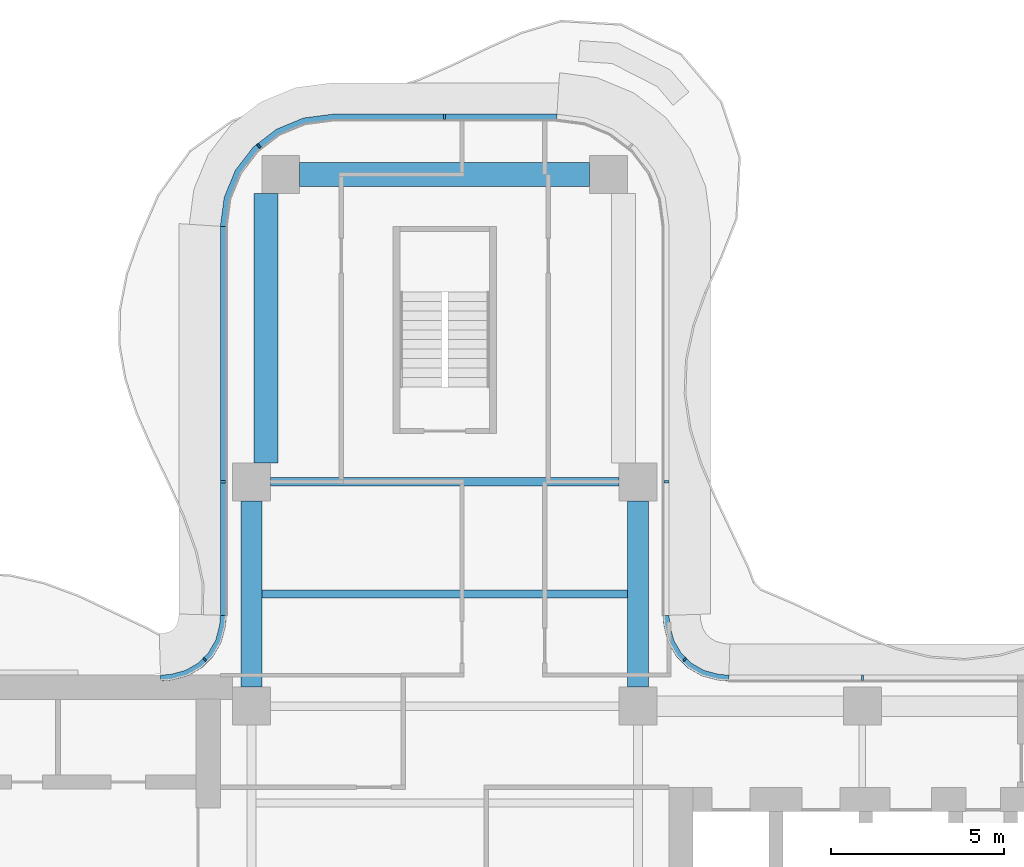
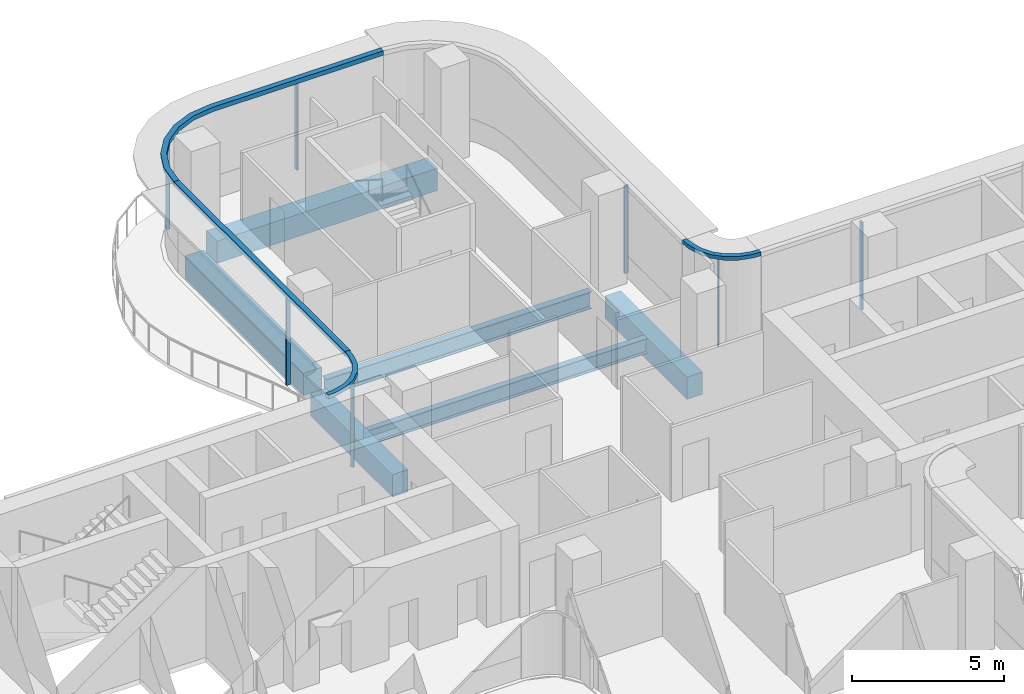
# One storey, part 6 of 17: 11 members, 6 beams, 6 elements without a shape of their own.
"""IFC4 building model written with IfcOpenShell, lengths in metres."""

from ifc_helpers import new_model, si_unit, direction, frame, origin, origin_2d, place, context, subcontext, project, spatial, polyline, rectangle, i_section, outline, extrude, source, transform, mapped, material, layer, layer_set, material_profile, profile_set, type_object, element, aggregate, save


model = new_model("IFC4")

# Units and contexts
model_context = context("Model", 3, precision=1e-05, world=origin(), true_north=direction((0.0, 1.0)))
body_context = subcontext(model_context, "Body", "Model", "MODEL_VIEW")
ifc_project = project(units=[si_unit("LENGTHUNIT", "METRE"), si_unit("AREAUNIT", "SQUARE_METRE"), si_unit("VOLUMEUNIT", "CUBIC_METRE"), si_unit("PLANEANGLEUNIT", "RADIAN"), si_unit("MASSUNIT", "GRAM", prefix="KILO")], contexts=[model_context])

# Site, building, storey
site_placement = place(None, origin())
site = spatial("IfcSite", under=ifc_project, at=site_placement, CompositionType="ELEMENT")
building_placement = place(site_placement, origin())
building = spatial("IfcBuilding", under=site, at=building_placement, Name="Trellis Farm Tower", CompositionType="ELEMENT")
storey_placement = place(building_placement, frame((0.0, 0.0, 236.300048828125)))
storey = spatial("IfcBuildingStorey", under=building, at=storey_placement, Name="L52", CompositionType="ELEMENT", Elevation=236.300048828125)

# Beams
ifc_material_1 = material(Name="Steel S355", Category="steel")
ifc_material_profile_1 = material_profile(ifc_material_1, i_section(OverallWidth=0.22900390625, OverallDepth=0.6123046875, WebThickness=0.011962890625, FlangeThickness=0.01953125, FilletRadius=0.0126953125, at=origin_2d()), Name="UB 610x229x125")
ifc_profile_set_1 = profile_set([ifc_material_profile_1], Name="Steel S355")
beam_type_1 = type_object("IfcBeamType", Name="UB 610x229x125 joist", PredefinedType="JOIST", material=ifc_profile_set_1)
shared_shape_1 = source(origin(), body_context, "Body", "SweptSolid", [
    extrude(i_section(OverallWidth=0.22900390625, OverallDepth=0.6123046875, WebThickness=0.011962890625, FlangeThickness=0.01953125, FilletRadius=0.0126953125, at=origin_2d()), origin(), (0.0, 0.0, 1.0), 10.60009765625),
])
beam_1_placement = place(storey_placement, frame((-5.300048828125, 8.85009765625, -0.506103515625), z_axis=(1.0, 0.0, 0.0), x_axis=(0.0, 1.0, 0.0)))
element("IfcBeam", 1, at=beam_1_placement, inside=storey, type_object=beam_type_1, Name="Floor beam", PredefinedType="JOIST", context=body_context, shape_type="MappedRepresentation", body=[
    mapped(shared_shape_1, transform((0.0, 0.0, 0.0))),
])
ifc_material_profile_2 = material_profile(ifc_material_1, i_section(OverallWidth=0.253662109375, OverallDepth=0.68359375, WebThickness=0.012451171875, FlangeThickness=0.021728515625, FilletRadius=0.01513671875, at=origin_2d()), Name="UB 686x254x140")
ifc_profile_set_2 = profile_set([ifc_material_profile_2], Name="Steel S355")
beam_type_2 = type_object("IfcBeamType", Name="UB 686x254x140", PredefinedType="BEAM", material=ifc_profile_set_2)
shared_shape_2 = source(origin(), body_context, "Body", "SweptSolid", [
    extrude(i_section(OverallWidth=0.253662109375, OverallDepth=0.68359375, WebThickness=0.012451171875, FlangeThickness=0.021728515625, FilletRadius=0.01513671875, at=origin_2d()), origin(), (0.0, 0.0, 1.0), 10.10009765625),
])
beam_2_placement = place(storey_placement, frame((-5.050048828125, 12.10009765625, -0.541748046875), z_axis=(1.0, 0.0, 0.0), x_axis=(0.0, 1.0, 0.0)))
element("IfcBeam", 2, at=beam_2_placement, inside=storey, type_object=beam_type_2, Name="Girder", PredefinedType="BEAM", context=body_context, shape_type="MappedRepresentation", body=[
    mapped(shared_shape_2, transform((0.0, 0.0, 0.0))),
])
ifc_material_2 = material(Name="Concrete C60/75", Category="concrete")
ifc_material_profile_3 = material_profile(ifc_material_2, rectangle(XDim=0.60009765625, YDim=0.89990234375, at=origin_2d()), Name="RC spandrel beam 600x900 C60/75")
ifc_profile_set_3 = profile_set([ifc_material_profile_3], Name="Concrete C60/75")
beam_type_3 = type_object("IfcBeamType", Name="RC spandrel beam 600x900 C60/75", PredefinedType="SPANDREL", material=ifc_profile_set_3)
shared_shape_3 = source(origin(), body_context, "Body", "SweptSolid", [
    extrude(rectangle(XDim=0.60009765625, YDim=0.89990234375, at=origin_2d()), origin(), (0.0, 0.0, 1.0), 5.400146484375),
])
for number, where, z_axis, x_axis, name in (
    (3, (-5.60009765625, 6.14990234375, -0.650146484375), (0.0, 1.0, 0.0), (-1.0, 0.0, 0.0), "Girder"),
    (4, (5.60009765625, 6.14990234375, -0.650146484375), (0.0, 1.0, 0.0), (-1.0, 0.0, 0.0), "Girder"),
):
    element("IfcBeam", number, at=place(storey_placement, frame(where, z_axis=z_axis, x_axis=x_axis)), inside=storey, type_object=beam_type_3, Name=name, PredefinedType="SPANDREL", context=body_context, shape_type="MappedRepresentation", body=[
        mapped(shared_shape_3, transform((0.0, 0.0, 0.0))),
    ])
ifc_material_profile_4 = material_profile(ifc_material_2, rectangle(XDim=0.699951171875, YDim=0.89990234375, at=origin_2d()), Name="RC spandrel beam 700x900 C60/75")
ifc_profile_set_4 = profile_set([ifc_material_profile_4], Name="Concrete C60/75")
beam_type_4 = type_object("IfcBeamType", Name="RC spandrel beam 700x900 C60/75", PredefinedType="SPANDREL", material=ifc_profile_set_4)
shared_shape_4 = source(origin(), body_context, "Body", "SweptSolid", [
    extrude(rectangle(XDim=0.699951171875, YDim=0.89990234375, at=origin_2d()), origin(), (0.0, 0.0, 1.0), 8.39990234375),
])
beam_3_placement = place(storey_placement, frame((-4.199951171875, 21.0, -0.650146484375), z_axis=(1.0, 0.0, 0.0), x_axis=(0.0, 1.0, 0.0)))
element("IfcBeam", 5, at=beam_3_placement, inside=storey, type_object=beam_type_4, Name="Girder", PredefinedType="SPANDREL", context=body_context, shape_type="MappedRepresentation", body=[
    mapped(shared_shape_4, transform((0.0, 0.0, 0.0))),
])
shared_shape_5 = source(origin(), body_context, "Body", "SweptSolid", [
    extrude(rectangle(XDim=0.699951171875, YDim=0.89990234375, at=origin_2d()), origin(), (0.0, 0.0, 1.0), 7.800048828125),
])
beam_4_placement = place(storey_placement, frame((-5.175048828125, 12.64990234375, -0.650146484375), z_axis=(0.0, 1.0, 0.0), x_axis=(-1.0, 0.0, 0.0)))
element("IfcBeam", 6, at=beam_4_placement, inside=storey, type_object=beam_type_4, Name="Girder", PredefinedType="SPANDREL", context=body_context, shape_type="MappedRepresentation", body=[
    mapped(shared_shape_5, transform((0.0, 0.0, 0.0))),
])

# Curtain wall, member
ifc_material_3 = material(Name="Aluminium and glass curtain wall", Category="aluminium")
ifc_layer_1 = layer(ifc_material_3, 0.166015625)
ifc_layer_set_1 = layer_set([ifc_layer_1], Name="WINTER GARDEN CURTAIN WALL CW3")
curtain_wall_type_1 = type_object("IfcCurtainWallType", Name="WINTER GARDEN CURTAIN WALL CW3", PredefinedType="NOTDEFINED", material=ifc_layer_set_1)
placement_1 = place(storey_placement, origin())
curtain_wall_1 = element("IfcCurtainWall", 7, at=placement_1, inside=storey, type_object=curtain_wall_type_1, Name="CW3 003", PredefinedType="NOTDEFINED")
ifc_material_4 = material(Name="Aluminium extrusion 6063-T6", Category="aluminium")
ifc_layer_2 = layer(ifc_material_4, 0.169921875)
ifc_layer_set_2 = layer_set([ifc_layer_2], Name="Aluminium extrusion 6063-T6")
member_type_1 = type_object("IfcMemberType", Name="CW3 TRANSOM 170x150", PredefinedType="USERDEFINED", material=ifc_layer_set_2)
shared_shape_6 = source(origin(), body_context, "Body", "SweptSolid", [
    extrude(outline(polyline([(8.2314453125, 6.5), (8.01953125, 6.513916015625), (7.91552734375, 6.527587890625), (7.508544921875, 6.63671875), (7.144287109375, 6.846923828125), (6.846923828125, 7.144287109375), (6.63671875, 7.508544921875), (6.527587890625, 7.91552734375), (6.513916015625, 8.01953125), (6.5, 8.2314453125), (6.330078125, 8.225830078125), (6.3447265625, 8.0029296875), (6.360595703125, 7.88232421875), (6.478271484375, 7.44287109375), (6.7109375, 7.0400390625), (7.0400390625, 6.7109375), (7.44287109375, 6.478271484375), (7.88232421875, 6.360595703125), (8.0029296875, 6.3447265625), (8.225830078125, 6.330078125), (8.2314453125, 6.5)])), origin(), (0.0, 0.0, 1.0), 0.14990234375),
])
placement_2 = place(storey_placement, frame((0.0, 0.0, 3.550048828125)))
member_1 = element("IfcMember", 8, at=placement_2, type_object=member_type_1, Name="TR3 003", ObjectType="TRANSOM", PredefinedType="USERDEFINED", context=body_context, shape_type="MappedRepresentation", body=[
    mapped(shared_shape_6, transform((0.0, 0.0, 0.0))),
])

curtain_wall_2 = element("IfcCurtainWall", 9, at=placement_1, inside=storey, type_object=curtain_wall_type_1, Name="CW3 004", PredefinedType="NOTDEFINED")
shared_shape_7 = source(origin(), body_context, "Body", "SweptSolid", [
    extrude(outline(polyline([(-6.5, 8.2314453125), (-6.513916015625, 8.01953125), (-6.527587890625, 7.91552734375), (-6.63671875, 7.508544921875), (-6.846923828125, 7.144287109375), (-7.144287109375, 6.846923828125), (-7.508544921875, 6.63671875), (-7.91552734375, 6.527587890625), (-8.01953125, 6.513916015625), (-8.2314453125, 6.5), (-8.225830078125, 6.330078125), (-8.0029296875, 6.3447265625), (-7.88232421875, 6.360595703125), (-7.44287109375, 6.478271484375), (-7.0400390625, 6.7109375), (-6.7109375, 7.0400390625), (-6.478271484375, 7.44287109375), (-6.360595703125, 7.88232421875), (-6.3447265625, 8.0029296875), (-6.330078125, 8.225830078125), (-6.5, 8.2314453125)])), origin(), (0.0, 0.0, 1.0), 0.14990234375),
])
member_2 = element("IfcMember", 10, at=placement_2, type_object=member_type_1, Name="TR3 004", ObjectType="TRANSOM", PredefinedType="USERDEFINED", context=body_context, shape_type="MappedRepresentation", body=[
    mapped(shared_shape_7, transform((0.0, 0.0, 0.0))),
])

ifc_layer_3 = layer(ifc_material_3, 0.18994140625)
ifc_layer_set_3 = layer_set([ifc_layer_3], Name="RIBBON CURTAIN WALL CW1")
curtain_wall_type_2 = type_object("IfcCurtainWallType", Name="RIBBON CURTAIN WALL CW1", PredefinedType="NOTDEFINED", material=ifc_layer_set_3)
curtain_wall_3 = element("IfcCurtainWall", 11, at=placement_1, inside=storey, type_object=curtain_wall_type_2, Name="CW1 008", PredefinedType="NOTDEFINED")
ifc_material_profile_5 = material_profile(ifc_material_4, rectangle(XDim=0.06005859375, YDim=0.14990234375, at=origin_2d()), Name="MULLION 60x150")
ifc_profile_set_5 = profile_set([ifc_material_profile_5], Name="Aluminium extrusion 6063-T6")
member_type_2 = type_object("IfcMemberType", Name="CW1 MULLION 60x150", PredefinedType="MULLION", material=ifc_profile_set_5)
shared_shape_8 = source(origin(), body_context, "Body", "SweptSolid", [
    extrude(rectangle(XDim=0.06005859375, YDim=0.14990234375, at=origin_2d()), origin(), (0.0, 0.0, 1.0), 3.52001953125),
])
member_3_placement = place(storey_placement, frame((12.10009765625, 6.425048828125, 0.0), z_axis=(0.0, 0.0, 1.0), x_axis=(-1.0, 0.0, 0.0)))
member_3 = element("IfcMember", 12, at=member_3_placement, type_object=member_type_2, Name="MU1 008-02", PredefinedType="MULLION", context=body_context, shape_type="MappedRepresentation", body=[
    mapped(shared_shape_8, transform((0.0, 0.0, 0.0))),
])
aggregate(curtain_wall_3, [member_3])

curtain_wall_4 = element("IfcCurtainWall", 13, at=placement_1, inside=storey, type_object=curtain_wall_type_2, Name="CW1 009", PredefinedType="NOTDEFINED")
member_4_placement = place(storey_placement, frame((6.425048828125, 12.10009765625, 0.0), z_axis=(0.0, 0.0, 1.0), x_axis=(0.0, 1.0, 0.0)))
member_4 = element("IfcMember", 14, at=member_4_placement, type_object=member_type_2, Name="MU1 009-01", PredefinedType="MULLION", context=body_context, shape_type="MappedRepresentation", body=[
    mapped(shared_shape_8, transform((0.0, 0.0, 0.0))),
])
aggregate(curtain_wall_4, [member_4])

# Curtain wall, members
curtain_wall_5 = element("IfcCurtainWall", 15, at=placement_1, inside=storey, type_object=curtain_wall_type_2, Name="CW1 010", PredefinedType="NOTDEFINED")
member_5_placement = place(storey_placement, frame((0.0, 22.675048828125, 0.0), z_axis=(0.0, 0.0, 1.0), x_axis=(-1.0, 0.0, 0.0)))
member_5 = element("IfcMember", 16, at=member_5_placement, type_object=member_type_2, Name="MU1 010-01", PredefinedType="MULLION", context=body_context, shape_type="MappedRepresentation", body=[
    mapped(shared_shape_8, transform((0.0, 0.0, 0.0))),
])
member_6_placement = place(storey_placement, frame((-5.385498046875, 21.828369140625, 0.0), z_axis=(0.0, 0.0, 1.0), x_axis=(-0.793353340291, -0.608761429009, 0.0)))
member_6 = element("IfcMember", 17, at=member_6_placement, type_object=member_type_2, Name="MU1 010-02", PredefinedType="MULLION", context=body_context, shape_type="MappedRepresentation", body=[
    mapped(shared_shape_8, transform((0.0, 0.0, 0.0))),
])

# Curtain wall, member
curtain_wall_6 = element("IfcCurtainWall", 18, at=placement_1, inside=storey, type_object=curtain_wall_type_2, Name="CW1 011", PredefinedType="NOTDEFINED")
member_7_placement = place(storey_placement, frame((-6.425048828125, 12.10009765625, 0.0), z_axis=(0.0, 0.0, 1.0), x_axis=(0.0, -1.0, 0.0)))
member_7 = element("IfcMember", 19, at=member_7_placement, type_object=member_type_2, Name="MU1 011-01", PredefinedType="MULLION", context=body_context, shape_type="MappedRepresentation", body=[
    mapped(shared_shape_8, transform((0.0, 0.0, 0.0))),
])

# Member
ifc_material_profile_6 = material_profile(ifc_material_4, rectangle(XDim=0.050048828125, YDim=0.1201171875, at=origin_2d()), Name="MULLION 50x120")
ifc_profile_set_6 = profile_set([ifc_material_profile_6], Name="Aluminium extrusion 6063-T6")
member_type_3 = type_object("IfcMemberType", Name="CW3 MULLION 50x120", PredefinedType="MULLION", material=ifc_profile_set_6)
shared_shape_9 = source(origin(), body_context, "Body", "SweptSolid", [
    extrude(rectangle(XDim=0.050048828125, YDim=0.1201171875, at=origin_2d()), origin(), (0.0, 0.0, 1.0), 3.550048828125),
])
member_8_placement = place(storey_placement, frame((6.953125, 6.953125, 0.0), z_axis=(0.0, 0.0, 1.0), x_axis=(-0.707106781187, 0.707106781187, 0.0)))
member_8 = element("IfcMember", 20, at=member_8_placement, type_object=member_type_3, Name="MU3 003-01", PredefinedType="MULLION", context=body_context, shape_type="MappedRepresentation", body=[
    mapped(shared_shape_9, transform((0.0, 0.0, 0.0))),
])

aggregate(curtain_wall_1, [member_8, member_1])

member_9_placement = place(storey_placement, frame((-6.953125, 6.953125, 0.0), z_axis=(0.0, 0.0, 1.0), x_axis=(-0.707106781187, -0.707106781187, 0.0)))
member_9 = element("IfcMember", 21, at=member_9_placement, type_object=member_type_3, Name="MU3 004-01", PredefinedType="MULLION", context=body_context, shape_type="MappedRepresentation", body=[
    mapped(shared_shape_9, transform((0.0, 0.0, 0.0))),
])

aggregate(curtain_wall_2, [member_9, member_2])

ifc_layer_4 = layer(ifc_material_4, 0.199951171875)
ifc_layer_set_4 = layer_set([ifc_layer_4], Name="Aluminium extrusion 6063-T6")
member_type_4 = type_object("IfcMemberType", Name="CW1 TRANSOM 200x180", PredefinedType="USERDEFINED", material=ifc_layer_set_4)
shared_shape_10 = source(origin(), body_context, "Body", "SweptSolid", [
    extrude(outline(polyline([(3.25, 22.75), (-3.25, 22.75), (-4.091064453125, 22.63916015625), (-4.875, 22.314697265625), (-5.548095703125, 21.798095703125), (-6.064697265625, 21.125), (-6.38916015625, 20.341064453125), (-6.5, 19.5), (-6.300048828125, 19.48681640625), (-6.1943359375, 20.2890625), (-5.889892578125, 21.024169921875), (-5.405517578125, 21.655517578125), (-4.774169921875, 22.139892578125), (-4.0390625, 22.4443359375), (-3.23681640625, 22.550048828125), (3.23681640625, 22.550048828125), (3.25, 22.75)])), origin(), (0.0, 0.0, 1.0), 0.179931640625),
])
placement_3 = place(storey_placement, frame((0.0, 0.0, 3.52001953125)))
member_10 = element("IfcMember", 22, at=placement_3, type_object=member_type_4, Name="TR1 010", ObjectType="TRANSOM", PredefinedType="USERDEFINED", context=body_context, shape_type="MappedRepresentation", body=[
    mapped(shared_shape_10, transform((0.0, 0.0, 0.0))),
])

aggregate(curtain_wall_5, [member_5, member_6, member_10])

shared_shape_11 = source(origin(), body_context, "Body", "SweptSolid", [
    extrude(outline(polyline([(-6.5, 19.5), (-6.5, 8.2314453125), (-6.300048828125, 8.224853515625), (-6.300048828125, 19.48681640625), (-6.5, 19.5)])), origin(), (0.0, 0.0, 1.0), 0.179931640625),
])
member_11 = element("IfcMember", 23, at=placement_3, type_object=member_type_4, Name="TR1 011", ObjectType="TRANSOM", PredefinedType="USERDEFINED", context=body_context, shape_type="MappedRepresentation", body=[
    mapped(shared_shape_11, transform((0.0, 0.0, 0.0))),
])

aggregate(curtain_wall_6, [member_7, member_11])

save(model, "model.ifc")
